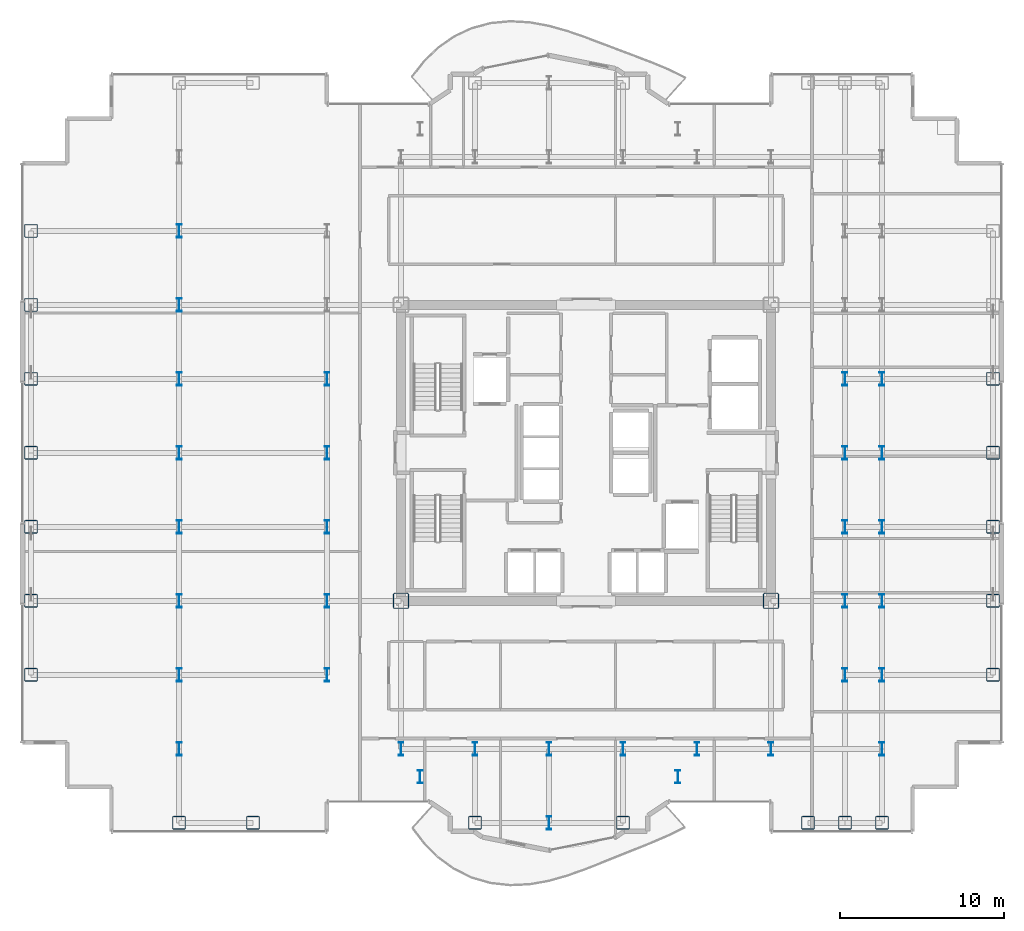
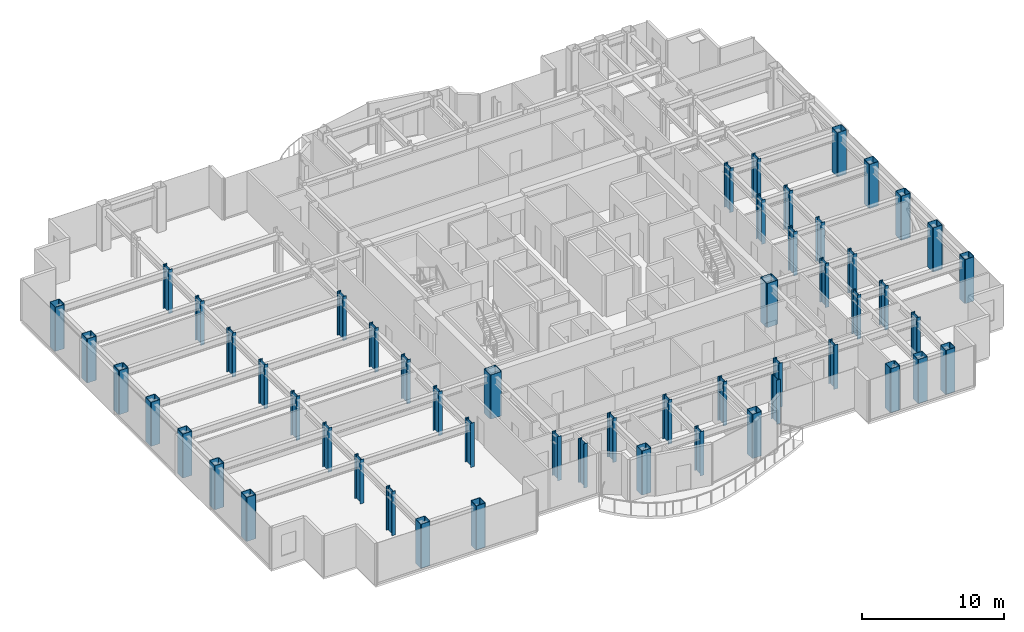
# One storey, part 1 of 26: 54 columns.
"""IFC4 building model written with IfcOpenShell, lengths in metres."""

from ifc_helpers import new_model, si_unit, direction, frame, origin, origin_2d, place, context, subcontext, project, spatial, hollow_rectangle, i_section, extrude, source, transform, mapped, material, material_profile, profile_set, type_object, element, save


model = new_model("IFC4")

# Units and contexts
model_context = context("Model", 3, precision=1e-05, world=origin(), true_north=direction((0.0, 1.0)))
body_context = subcontext(model_context, "Body", "Model", "MODEL_VIEW")
ifc_project = project(units=[si_unit("LENGTHUNIT", "METRE"), si_unit("AREAUNIT", "SQUARE_METRE"), si_unit("VOLUMEUNIT", "CUBIC_METRE"), si_unit("PLANEANGLEUNIT", "RADIAN"), si_unit("MASSUNIT", "GRAM", prefix="KILO")], contexts=[model_context])

# Site, building, storey
site_placement = place(None, origin())
site = spatial("IfcSite", under=ifc_project, at=site_placement, CompositionType="ELEMENT")
building_placement = place(site_placement, origin())
building = spatial("IfcBuilding", under=site, at=building_placement, Name="Nefas-Gora Pilgrimage Tower", CompositionType="ELEMENT")
storey_placement = place(building_placement, frame((0.0, 0.0, 171.60009765625)))
storey = spatial("IfcBuildingStorey", under=building, at=storey_placement, Name="L42", CompositionType="ELEMENT", Elevation=171.60009765625)

# Columns
ifc_material = material(Name="Steel S460", Category="steel")
ifc_material_profile_1 = material_profile(ifc_material, hollow_rectangle(XDim=0.949951171875, YDim=0.949951171875, WallThickness=0.044921875, InnerFilletRadius=0.044921875, OuterFilletRadius=0.090087890625, at=origin_2d()), Name="BOX 950x950x45")
ifc_profile_set_1 = profile_set([ifc_material_profile_1], Name="Steel S460")
column_type_1 = type_object("IfcColumnType", Name="COL-CORE-950", PredefinedType="COLUMN", material=ifc_profile_set_1)
shared_shape_1 = source(origin(), body_context, "Body", "SweptSolid", [
    extrude(hollow_rectangle(XDim=0.949951171875, YDim=0.949951171875, WallThickness=0.044921875, InnerFilletRadius=0.044921875, OuterFilletRadius=0.090087890625, at=origin_2d()), origin(), (0.0, 0.0, 1.0), 3.7998046875),
])
for number, where, z_axis, x_axis, name in (
    (1, (-11.25, -9.0, 0.0), (0.0, 0.0, 1.0), (1.0, 0.0, 0.0), "L42 Tower Column CC-Z1.29"),
    (2, (11.25, -9.0, 0.0), (0.0, 0.0, 1.0), (1.0, 0.0, 0.0), "L42 Tower Column CC-Z1.51"),
):
    element("IfcColumn", number, at=place(storey_placement, frame(where, z_axis=z_axis, x_axis=x_axis)), inside=storey, type_object=column_type_1, Name=name, PredefinedType="COLUMN", context=body_context, shape_type="MappedRepresentation", body=[
        mapped(shared_shape_1, transform((0.0, 0.0, 0.0), x_axis=(1.0, 0.0, 0.0), y_axis=(0.0, 1.0, 0.0), z_axis=(0.0, 0.0, 1.0), scale=1.0)),
    ])
ifc_material_profile_2 = material_profile(ifc_material, hollow_rectangle(XDim=0.800048828125, YDim=0.800048828125, WallThickness=0.0400390625, InnerFilletRadius=0.0400390625, OuterFilletRadius=0.080078125, at=origin_2d()), Name="BOX 800x800x40")
ifc_profile_set_2 = profile_set([ifc_material_profile_2], Name="Steel S460")
column_type_2 = type_object("IfcColumnType", Name="COL-TUBE-800", PredefinedType="COLUMN", material=ifc_profile_set_2)
shared_shape_2 = source(origin(), body_context, "Body", "SweptSolid", [
    extrude(hollow_rectangle(XDim=0.800048828125, YDim=0.800048828125, WallThickness=0.0400390625, InnerFilletRadius=0.0400390625, OuterFilletRadius=0.080078125, at=origin_2d()), origin(), (0.0, 0.0, 1.0), 3.7998046875),
])
for number, where, z_axis, x_axis, name in (
    (3, (-33.75, -13.5, 0.0), (0.0, 0.0, 1.0), (1.0, 0.0, 0.0), "L42 Tower Column C-Z2.1"),
    (4, (-33.75, -9.0, 0.0), (0.0, 0.0, 1.0), (1.0, 0.0, 0.0), "L42 Tower Column C-Z2.2"),
    (5, (-33.75, -4.5, 0.0), (0.0, 0.0, 1.0), (1.0, 0.0, 0.0), "L42 Tower Column C-Z2.3"),
    (6, (-33.75, 0.0, 0.0), (0.0, 0.0, 1.0), (1.0, 0.0, 0.0), "L42 Tower Column C-Z2.4"),
    (7, (-33.75, 4.5, 0.0), (0.0, 0.0, 1.0), (1.0, 0.0, 0.0), "L42 Tower Column C-Z2.5"),
    (8, (-33.75, 9.0, 0.0), (0.0, 0.0, 1.0), (1.0, 0.0, 0.0), "L42 Tower Column C-Z2.6"),
    (9, (-33.75, 13.5, 0.0), (0.0, 0.0, 1.0), (1.0, 0.0, 0.0), "L42 Tower Column C-Z2.7"),
    (10, (-24.75, -22.5, 0.0), (0.0, 0.0, 1.0), (1.0, 0.0, 0.0), "L42 Tower Column C-Z2.8"),
    (11, (-20.25, -22.5, 0.0), (0.0, 0.0, 1.0), (1.0, 0.0, 0.0), "L42 Tower Column C-Z2.19"),
    (12, (-6.75, -22.5, 0.0), (0.0, 0.0, 1.0), (1.0, 0.0, 0.0), "L42 Tower Column C-Z2.34"),
    (13, (2.25, -22.5, 0.0), (0.0, 0.0, 1.0), (1.0, 0.0, 0.0), "L42 Tower Column C-Z2.42"),
    (14, (13.5, -22.5, 0.0), (0.0, 0.0, 1.0), (1.0, 0.0, 0.0), "L42 Tower Column C-Z2.54"),
    (15, (15.75, -22.5, 0.0), (0.0, 0.0, 1.0), (1.0, 0.0, 0.0), "L42 Tower Column C-Z2.56"),
    (16, (18.0, -22.5, 0.0), (0.0, 0.0, 1.0), (1.0, 0.0, 0.0), "L42 Tower Column C-Z2.65"),
    (17, (24.75, -13.5, 0.0), (0.0, 0.0, 1.0), (1.0, 0.0, 0.0), "L42 Tower Column C-Z2.76"),
    (18, (24.75, -9.0, 0.0), (0.0, 0.0, 1.0), (1.0, 0.0, 0.0), "L42 Tower Column C-Z2.77"),
    (19, (24.75, -4.5, 0.0), (0.0, 0.0, 1.0), (1.0, 0.0, 0.0), "L42 Tower Column C-Z2.78"),
    (20, (24.75, 0.0, 0.0), (0.0, 0.0, 1.0), (1.0, 0.0, 0.0), "L42 Tower Column C-Z2.79"),
    (21, (24.75, 4.5, 0.0), (0.0, 0.0, 1.0), (1.0, 0.0, 0.0), "L42 Tower Column C-Z2.80"),
):
    element("IfcColumn", number, at=place(storey_placement, frame(where, z_axis=z_axis, x_axis=x_axis)), inside=storey, type_object=column_type_2, Name=name, PredefinedType="COLUMN", context=body_context, shape_type="MappedRepresentation", body=[
        mapped(shared_shape_2, transform((0.0, 0.0, 0.0), x_axis=(1.0, 0.0, 0.0), y_axis=(0.0, 1.0, 0.0), z_axis=(0.0, 0.0, 1.0), scale=1.0)),
    ])
ifc_material_profile_3 = material_profile(ifc_material, i_section(OverallWidth=0.302978515625, OverallDepth=0.81396484375, WebThickness=0.02099609375, FlangeThickness=0.0400390625, FilletRadius=0.030029296875, at=origin_2d()), Name="HEM 800")
ifc_profile_set_3 = profile_set([ifc_material_profile_3], Name="Steel S460")
column_type_3 = type_object("IfcColumnType", Name="COL-WEB-HEM800", PredefinedType="COLUMN", material=ifc_profile_set_3)
shared_shape_3 = source(origin(), body_context, "Body", "SweptSolid", [
    extrude(i_section(OverallWidth=0.302978515625, OverallDepth=0.81396484375, WebThickness=0.02099609375, FlangeThickness=0.0400390625, FilletRadius=0.030029296875, at=origin_2d()), origin(), (0.0, 0.0, 1.0), 3.7998046875),
])
for number, where, z_axis, x_axis, name in (
    (22, (-24.75, -18.0, 0.0), (0.0, 0.0, 1.0), (1.0, 0.0, 0.0), "L42 Tower Column CW-02.9"),
    (23, (-24.75, -13.5, 0.0), (0.0, 0.0, 1.0), (1.0, 0.0, 0.0), "L42 Tower Column CW-02.10"),
    (24, (-24.75, -9.0, 0.0), (0.0, 0.0, 1.0), (1.0, 0.0, 0.0), "L42 Tower Column CW-02.11"),
    (25, (-24.75, -4.5, 0.0), (0.0, 0.0, 1.0), (1.0, 0.0, 0.0), "L42 Tower Column CW-02.12"),
    (26, (-24.75, 0.0, 0.0), (0.0, 0.0, 1.0), (1.0, 0.0, 0.0), "L42 Tower Column CW-02.13"),
    (27, (-24.75, 4.5, 0.0), (0.0, 0.0, 1.0), (1.0, 0.0, 0.0), "L42 Tower Column CW-02.14"),
    (28, (-24.75, 9.0, 0.0), (0.0, 0.0, 1.0), (1.0, 0.0, 0.0), "L42 Tower Column CW-02.15"),
    (29, (-24.75, 13.5, 0.0), (0.0, 0.0, 1.0), (1.0, 0.0, 0.0), "L42 Tower Column CW-02.16"),
    (30, (-15.75, -13.5, 0.0), (0.0, 0.0, 1.0), (1.0, 0.0, 0.0), "L42 Tower Column CW-02.21"),
    (31, (-15.75, -9.0, 0.0), (0.0, 0.0, 1.0), (1.0, 0.0, 0.0), "L42 Tower Column CW-02.22"),
    (32, (-15.75, -4.5, 0.0), (0.0, 0.0, 1.0), (1.0, 0.0, 0.0), "L42 Tower Column CW-02.23"),
    (33, (-15.75, 0.0, 0.0), (0.0, 0.0, 1.0), (1.0, 0.0, 0.0), "L42 Tower Column CW-02.24"),
    (34, (-15.75, 4.5, 0.0), (0.0, 0.0, 1.0), (1.0, 0.0, 0.0), "L42 Tower Column CW-02.25"),
    (35, (-11.25, -18.0, 0.0), (0.0, 0.0, 1.0), (1.0, 0.0, 0.0), "L42 Tower Column CW-02.28"),
    (36, (-10.091064453125, -19.696044921875, 0.0), (0.0, 0.0, 1.0), (1.0, 0.0, 0.0), "L42 Tower Column CW-02.32"),
    (37, (-6.75, -18.0, 0.0), (0.0, 0.0, 1.0), (1.0, 0.0, 0.0), "L42 Tower Column CW-02.35"),
    (38, (-2.25, -22.5, 0.0), (0.0, 0.0, 1.0), (1.0, 0.0, 0.0), "L42 Tower Column CW-02.38"),
    (39, (-2.25, -18.0, 0.0), (0.0, 0.0, 1.0), (1.0, 0.0, 0.0), "L42 Tower Column CW-02.39"),
    (40, (2.25, -18.0, 0.0), (0.0, 0.0, 1.0), (1.0, 0.0, 0.0), "L42 Tower Column CW-02.43"),
    (41, (5.591064453125, -19.696044921875, 0.0), (0.0, 0.0, 1.0), (1.0, 0.0, 0.0), "L42 Tower Column CW-02.46"),
    (42, (6.75, -18.0, 0.0), (0.0, 0.0, 1.0), (1.0, 0.0, 0.0), "L42 Tower Column CW-02.48"),
    (43, (11.25, -18.0, 0.0), (0.0, 0.0, 1.0), (1.0, 0.0, 0.0), "L42 Tower Column CW-02.50"),
    (44, (15.75, -13.5, 0.0), (0.0, 0.0, 1.0), (1.0, 0.0, 0.0), "L42 Tower Column CW-02.57"),
    (45, (15.75, -9.0, 0.0), (0.0, 0.0, 1.0), (1.0, 0.0, 0.0), "L42 Tower Column CW-02.58"),
    (46, (15.75, -4.5, 0.0), (0.0, 0.0, 1.0), (1.0, 0.0, 0.0), "L42 Tower Column CW-02.59"),
    (47, (15.75, 0.0, 0.0), (0.0, 0.0, 1.0), (1.0, 0.0, 0.0), "L42 Tower Column CW-02.60"),
    (48, (15.75, 4.5, 0.0), (0.0, 0.0, 1.0), (1.0, 0.0, 0.0), "L42 Tower Column CW-02.61"),
    (49, (18.0, -18.0, 0.0), (0.0, 0.0, 1.0), (1.0, 0.0, 0.0), "L42 Tower Column CW-02.66"),
    (50, (18.0, -13.5, 0.0), (0.0, 0.0, 1.0), (1.0, 0.0, 0.0), "L42 Tower Column CW-02.67"),
    (51, (18.0, -9.0, 0.0), (0.0, 0.0, 1.0), (1.0, 0.0, 0.0), "L42 Tower Column CW-02.68"),
    (52, (18.0, -4.5, 0.0), (0.0, 0.0, 1.0), (1.0, 0.0, 0.0), "L42 Tower Column CW-02.69"),
    (53, (18.0, 0.0, 0.0), (0.0, 0.0, 1.0), (1.0, 0.0, 0.0), "L42 Tower Column CW-02.70"),
    (54, (18.0, 4.5, 0.0), (0.0, 0.0, 1.0), (1.0, 0.0, 0.0), "L42 Tower Column CW-02.71"),
):
    element("IfcColumn", number, at=place(storey_placement, frame(where, z_axis=z_axis, x_axis=x_axis)), inside=storey, type_object=column_type_3, Name=name, PredefinedType="COLUMN", context=body_context, shape_type="MappedRepresentation", body=[
        mapped(shared_shape_3, transform((0.0, 0.0, 0.0), x_axis=(1.0, 0.0, 0.0), y_axis=(0.0, 1.0, 0.0), z_axis=(0.0, 0.0, 1.0), scale=1.0)),
    ])

save(model, "model.ifc")
